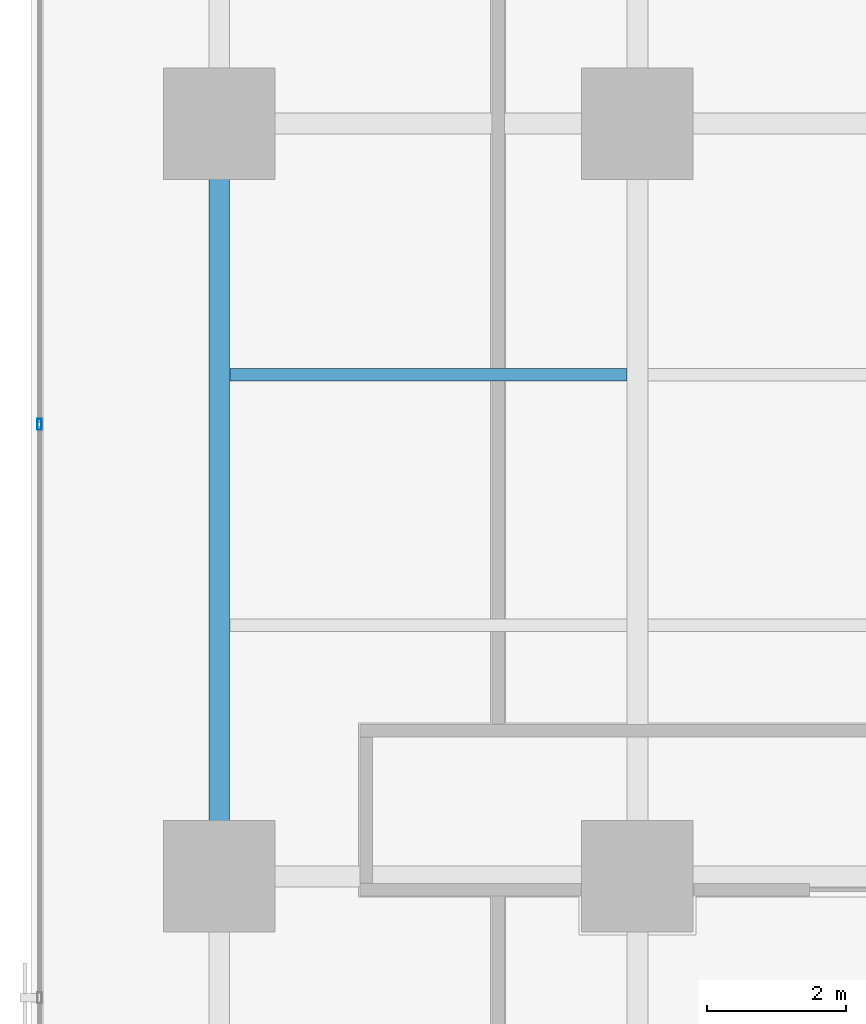
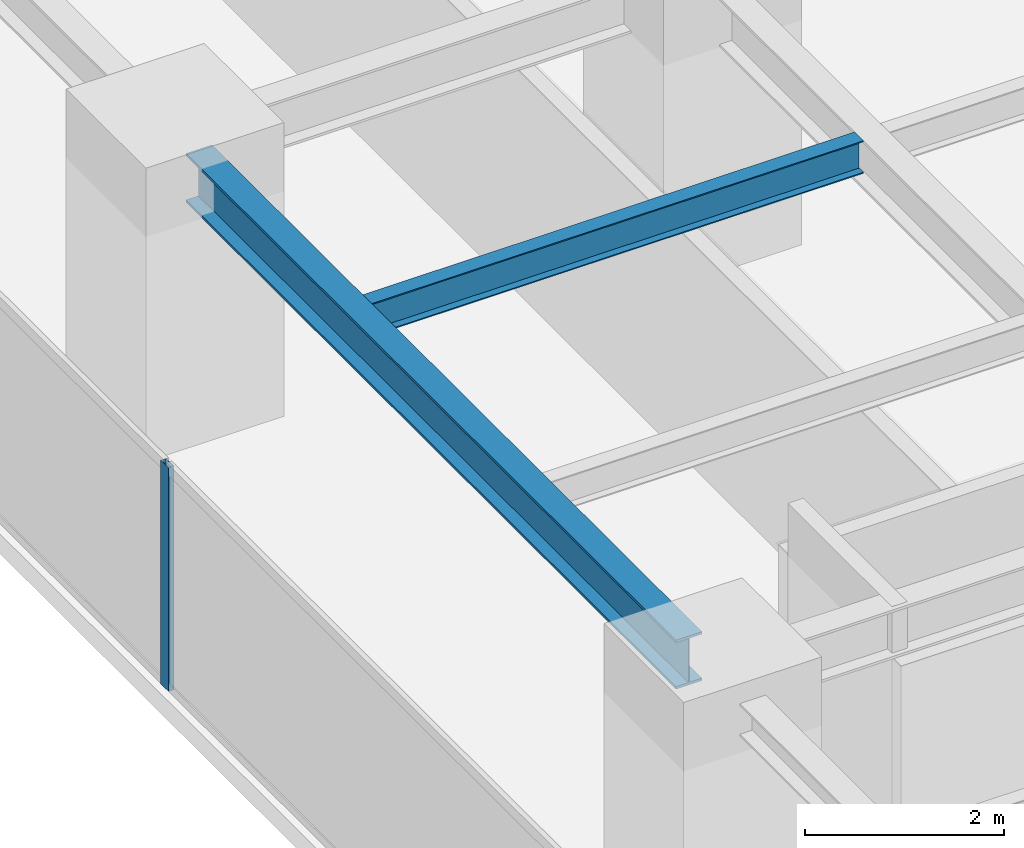
# One storey, part 8 of 37: 2 beams, 1 member, 1 element without a shape of its own.
"""IFC4 building model written with IfcOpenShell, lengths in metres."""

from ifc_helpers import new_model, si_unit, direction, frame, origin, origin_2d, place, context, subcontext, project, spatial, hollow_rectangle, i_section, extrude, source, transform, mapped, material, layer, layer_set, material_profile, profile_set, type_object, element, aggregate, save


model = new_model("IFC4")

# Units and contexts
model_context = context("Model", 3, precision=1e-05, world=origin(), true_north=direction((0.0, 1.0)))
body_context = subcontext(model_context, "Body", "Model", "MODEL_VIEW")
ifc_project = project(units=[si_unit("LENGTHUNIT", "METRE"), si_unit("AREAUNIT", "SQUARE_METRE"), si_unit("VOLUMEUNIT", "CUBIC_METRE"), si_unit("PLANEANGLEUNIT", "RADIAN"), si_unit("MASSUNIT", "GRAM", prefix="KILO")], contexts=[model_context])

# Site, building, storey
site_placement = place(None, origin())
site = spatial("IfcSite", under=ifc_project, at=site_placement, CompositionType="ELEMENT")
building_placement = place(site_placement, origin())
building = spatial("IfcBuilding", under=site, at=building_placement, Name="Sumidabori Civic Tower", CompositionType="ELEMENT")
storey_placement = place(building_placement, frame((0.0, 0.0, 117.199951171875)))
storey = spatial("IfcBuildingStorey", under=building, at=storey_placement, Name="L30", CompositionType="ELEMENT", Elevation=117.199951171875)

# Beams
ifc_material_1 = material(Name="Steel SN490", Category="steel")
ifc_material_profile_1 = material_profile(ifc_material_1, i_section(OverallWidth=0.300048828125, OverallDepth=0.60009765625, WebThickness=0.015380859375, FlangeThickness=0.030029296875, at=origin_2d()), Name="HE 600 B")
ifc_profile_set_1 = profile_set([ifc_material_profile_1], Name="Steel SN490")
beam_type_1 = type_object("IfcBeamType", Name="BM-GIRD-600", PredefinedType="BEAM", material=ifc_profile_set_1)
shared_shape_1 = source(origin(), body_context, "Body", "SweptSolid", [
    extrude(i_section(OverallWidth=0.300048828125, OverallDepth=0.60009765625, WebThickness=0.015380859375, FlangeThickness=0.030029296875, at=origin_2d()), origin(), (0.0, 0.0, 1.0), 9.840087890625),
])
beam_1_placement = place(storey_placement, frame((-22.800048828125, -10.320068359375, 3.06005859375), z_axis=(0.0, 1.0, 0.0), x_axis=(-1.0, 0.0, 0.0)))
element("IfcBeam", 1, at=beam_1_placement, inside=storey, type_object=beam_type_1, Name="Primary Girder L30 GY-22", PredefinedType="BEAM", context=body_context, shape_type="MappedRepresentation", body=[
    mapped(shared_shape_1, transform((0.0, 0.0, 0.0), x_axis=(1.0, 0.0, 0.0), y_axis=(0.0, 1.0, 0.0), z_axis=(0.0, 0.0, 1.0), scale=1.0)),
])
ifc_material_profile_2 = material_profile(ifc_material_1, i_section(OverallWidth=0.179931640625, OverallDepth=0.39990234375, WebThickness=0.008544921875, FlangeThickness=0.013427734375, at=origin_2d()), Name="IPE 400")
ifc_profile_set_2 = profile_set([ifc_material_profile_2], Name="Steel SN490")
beam_type_2 = type_object("IfcBeamType", Name="BM-JST-400", PredefinedType="JOIST", material=ifc_profile_set_2)
shared_shape_2 = source(origin(), body_context, "Body", "SweptSolid", [
    extrude(i_section(OverallWidth=0.179931640625, OverallDepth=0.39990234375, WebThickness=0.008544921875, FlangeThickness=0.013427734375, at=origin_2d()), origin(), (0.0, 0.0, 1.0), 5.699951171875),
])
beam_2_placement = place(storey_placement, frame((-22.64990234375, -3.60009765625, 3.16015625), z_axis=(1.0, 0.0, 0.0), x_axis=(0.0, 1.0, 0.0)))
element("IfcBeam", 2, at=beam_2_placement, inside=storey, type_object=beam_type_2, Name="Outer Bay Floor Joist L30 JSTO-45", PredefinedType="JOIST", context=body_context, shape_type="MappedRepresentation", body=[
    mapped(shared_shape_2, transform((0.0, 0.0, 0.0), x_axis=(1.0, 0.0, 0.0), y_axis=(0.0, 1.0, 0.0), z_axis=(0.0, 0.0, 1.0), scale=1.0)),
])

# Curtain wall, member
ifc_material_2 = material(Name="Anodised Bronze Aluminium AW-6063-T6", Category="aluminium")
ifc_layer = layer(ifc_material_2, 0.179931640625, Name="Anodised Bronze Aluminium AW-6063-T6")
ifc_layer_set = layer_set([ifc_layer], Name="Anodised Bronze Aluminium AW-6063-T6")
curtain_wall_type = type_object("IfcCurtainWallType", Name="CW-SYS-3", PredefinedType="NOTDEFINED", material=ifc_layer_set)
curtain_wall_placement = place(storey_placement, origin())
curtain_wall = element("IfcCurtainWall", 3, at=curtain_wall_placement, inside=storey, type_object=curtain_wall_type, Name="Curtain Wall CW:L30:R10", PredefinedType="NOTDEFINED")
ifc_material_profile_3 = material_profile(ifc_material_2, hollow_rectangle(XDim=0.06494140625, YDim=0.159912109375, WallThickness=0.0048828125, at=origin_2d()), Name="ALU MULLION 160x65")
ifc_profile_set_3 = profile_set([ifc_material_profile_3], Name="Anodised Bronze Aluminium AW-6063-T6")
member_type = type_object("IfcMemberType", Name="CW-MUL-160", PredefinedType="MULLION", material=ifc_profile_set_3)
shared_shape_3 = source(origin(), body_context, "Body", "SweptSolid", [
    extrude(hollow_rectangle(XDim=0.06494140625, YDim=0.159912109375, WallThickness=0.0048828125, at=origin_2d()), origin(), (0.0, 0.0, 1.0), 2.739990234375),
])
member_placement = place(storey_placement, frame((-25.3798828125, -4.31396484375, 0.0), z_axis=(0.0, 0.0, 1.0), x_axis=(1.0, 0.0, 0.0)))
member = element("IfcMember", 4, at=member_placement, type_object=member_type, Name="CW-3 mullion 4", PredefinedType="MULLION", context=body_context, shape_type="MappedRepresentation", body=[
    mapped(shared_shape_3, transform((0.0, 0.0, 0.0), x_axis=(1.0, 0.0, 0.0), y_axis=(0.0, 1.0, 0.0), z_axis=(0.0, 0.0, 1.0), scale=1.0)),
])
aggregate(curtain_wall, [member])

save(model, "model.ifc")
